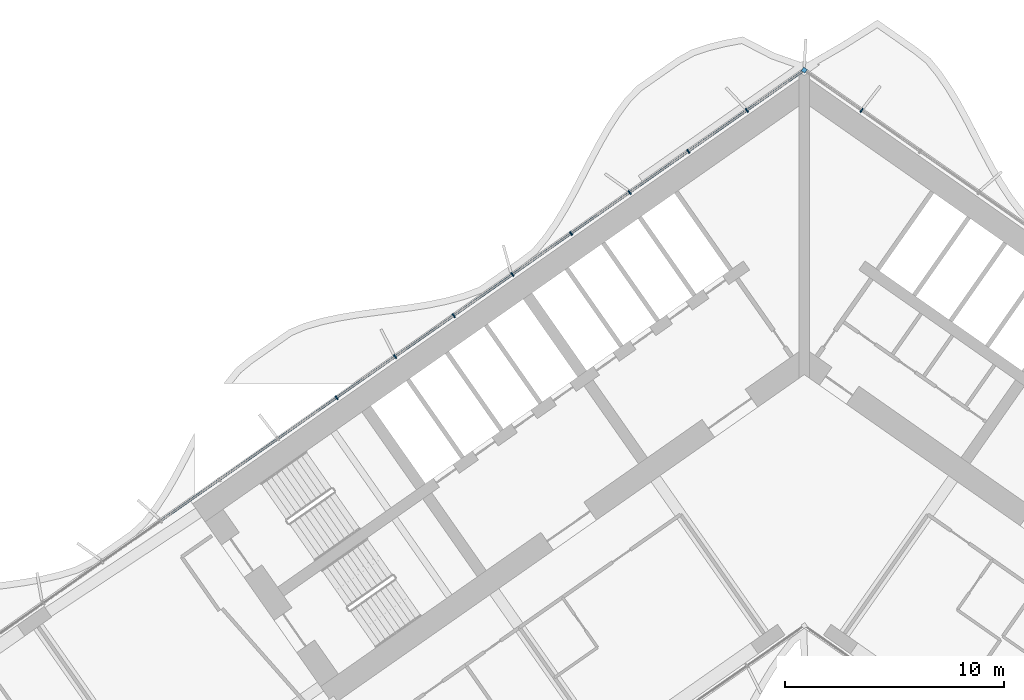
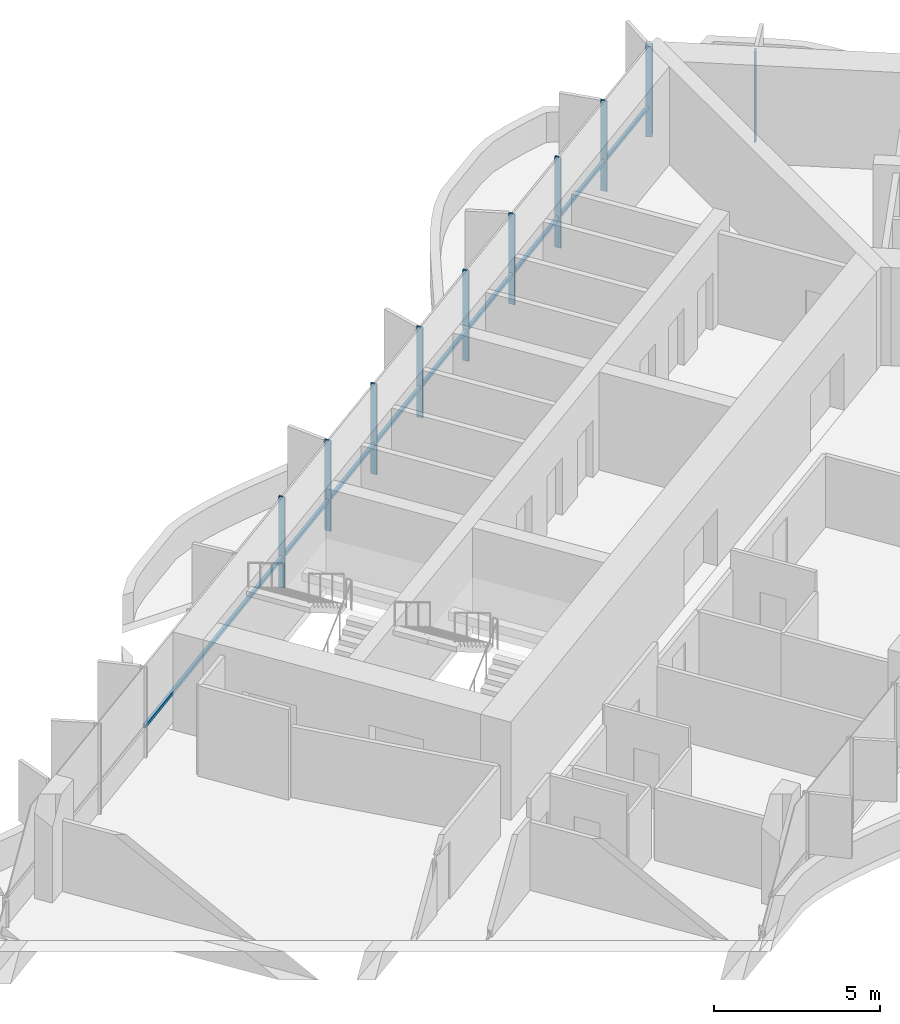
# One storey, part 7 of 24: 11 members, 1 element without a shape of its own.
"""IFC4 building model written with IfcOpenShell, lengths in metres."""

from ifc_helpers import new_model, si_unit, direction, frame, origin, origin_2d, place, context, subcontext, project, spatial, rectangle, extrude, material, material_profile, profile_set, type_object, element, aggregate, save


model = new_model("IFC4")

# Units and contexts
model_context = context("Model", 3, precision=1e-05, world=origin(), true_north=direction((0.0, 1.0)))
body_context = subcontext(model_context, "Body", "Model", "MODEL_VIEW")
ifc_project = project(units=[si_unit("LENGTHUNIT", "METRE"), si_unit("AREAUNIT", "SQUARE_METRE"), si_unit("VOLUMEUNIT", "CUBIC_METRE"), si_unit("PLANEANGLEUNIT", "RADIAN"), si_unit("MASSUNIT", "GRAM", prefix="KILO")], contexts=[model_context])

# Site, building, storey
site_placement = place(None, origin())
site = spatial("IfcSite", under=ifc_project, at=site_placement, CompositionType="ELEMENT")
building_placement = place(site_placement, origin())
building = spatial("IfcBuilding", under=site, at=building_placement, Name="Tel Ilan Convention Tower", CompositionType="ELEMENT")
storey_placement = place(building_placement, frame((0.0, 0.0, 65.300048828125)))
storey = spatial("IfcBuildingStorey", under=building, at=storey_placement, Name="L11", CompositionType="ELEMENT", Elevation=65.300048828125)

# Curtain wall, members
ifc_material_1 = material(Name="Aluminium, bronze anodised", Category="aluminium")
curtain_wall_type = type_object("IfcCurtainWallType", Name="CW2 STICK CURTAIN WALL, SPANDREL PANELS", PredefinedType="NOTDEFINED", material=ifc_material_1)
curtain_wall_placement = place(storey_placement, origin())
curtain_wall = element("IfcCurtainWall", 1, at=curtain_wall_placement, inside=storey, type_object=curtain_wall_type, Name="Curtain wall CW2-12.01", PredefinedType="NOTDEFINED")
ifc_material_2 = material(Name="Aluminium, bronze anodised", Category="aluminium")
ifc_material_profile_1 = material_profile(ifc_material_2, rectangle(XDim=0.199951171875, YDim=0.199951171875, at=origin_2d()), Name="CW CORNER MULLION 200x200")
ifc_profile_set_1 = profile_set([ifc_material_profile_1], Name="Aluminium, bronze anodised")
member_type_1 = type_object("IfcMemberType", Name="CW CORNER MULLION 200x200", PredefinedType="MULLION", material=ifc_profile_set_1)
member_1_placement = place(storey_placement, frame((0.0, 12.696044921875, 0.0), z_axis=(0.0, 0.0, 1.0), x_axis=(-0.819152044289, 0.573576436351, 0.0)))
member_1 = element("IfcMember", 2, at=member_1_placement, type_object=member_type_1, Name="Corner mullion", PredefinedType="MULLION", context=body_context, shape_type="SweptSolid", body=[
    extrude(rectangle(XDim=0.199951171875, YDim=0.199951171875, at=origin_2d()), origin(), (0.0, 0.0, 1.0), 3.320068359375),
])
ifc_material_3 = material(Name="Aluminium, bronze anodised", Category="aluminium")
ifc_material_profile_2 = material_profile(ifc_material_3, rectangle(XDim=0.06005859375, YDim=0.199951171875, at=origin_2d()), Name="CW MULLION 60x200")
ifc_profile_set_2 = profile_set([ifc_material_profile_2], Name="Aluminium, bronze anodised")
member_type_2 = type_object("IfcMemberType", Name="CW MULLION 60x200", PredefinedType="MULLION", material=ifc_profile_set_2)
member_2_placement = place(storey_placement, frame((2.622802734375, 10.859375, 0.0), z_axis=(0.0, 0.0, 1.0), x_axis=(-0.819152044289, 0.573576436351, 0.0)))
member_2 = element("IfcMember", 3, at=member_2_placement, type_object=member_type_2, Name="Mullion", PredefinedType="MULLION", context=body_context, shape_type="SweptSolid", body=[
    extrude(rectangle(XDim=0.06005859375, YDim=0.199951171875, at=origin_2d()), origin(), (0.0, 0.0, 1.0), 3.320068359375),
])
member_3_placement = place(storey_placement, frame((-2.622802734375, 10.859375, 0.0), z_axis=(0.0, 0.0, 1.0), x_axis=(-0.819152044289, -0.573576436351, 0.0)))
member_3 = element("IfcMember", 4, at=member_3_placement, type_object=member_type_2, Name="Mullion", PredefinedType="MULLION", context=body_context, shape_type="SweptSolid", body=[
    extrude(rectangle(XDim=0.06005859375, YDim=0.199951171875, at=origin_2d()), origin(), (0.0, 0.0, 1.0), 3.320068359375),
])
member_4_placement = place(storey_placement, frame((-5.30322265625, 8.982666015625, 0.0), z_axis=(0.0, 0.0, 1.0), x_axis=(-0.819152044289, -0.573576436351, 0.0)))
member_4 = element("IfcMember", 5, at=member_4_placement, type_object=member_type_2, Name="Mullion", PredefinedType="MULLION", context=body_context, shape_type="SweptSolid", body=[
    extrude(rectangle(XDim=0.06005859375, YDim=0.199951171875, at=origin_2d()), origin(), (0.0, 0.0, 1.0), 3.320068359375),
])
member_5_placement = place(storey_placement, frame((-7.9833984375, 7.10595703125, 0.0), z_axis=(0.0, 0.0, 1.0), x_axis=(-0.819152044289, -0.573576436351, 0.0)))
member_5 = element("IfcMember", 6, at=member_5_placement, type_object=member_type_2, Name="Mullion", PredefinedType="MULLION", context=body_context, shape_type="SweptSolid", body=[
    extrude(rectangle(XDim=0.06005859375, YDim=0.199951171875, at=origin_2d()), origin(), (0.0, 0.0, 1.0), 3.320068359375),
])
member_6_placement = place(storey_placement, frame((-10.663818359375, 5.229248046875, 0.0), z_axis=(0.0, 0.0, 1.0), x_axis=(-0.819152044289, -0.573576436351, 0.0)))
member_6 = element("IfcMember", 7, at=member_6_placement, type_object=member_type_2, Name="Mullion", PredefinedType="MULLION", context=body_context, shape_type="SweptSolid", body=[
    extrude(rectangle(XDim=0.06005859375, YDim=0.199951171875, at=origin_2d()), origin(), (0.0, 0.0, 1.0), 3.320068359375),
])
member_7_placement = place(storey_placement, frame((-13.343994140625, 3.3525390625, 0.0), z_axis=(0.0, 0.0, 1.0), x_axis=(-0.819152044289, -0.573576436351, 0.0)))
member_7 = element("IfcMember", 8, at=member_7_placement, type_object=member_type_2, Name="Mullion", PredefinedType="MULLION", context=body_context, shape_type="SweptSolid", body=[
    extrude(rectangle(XDim=0.06005859375, YDim=0.199951171875, at=origin_2d()), origin(), (0.0, 0.0, 1.0), 3.320068359375),
])
member_8_placement = place(storey_placement, frame((-16.024169921875, 1.475830078125, 0.0), z_axis=(0.0, 0.0, 1.0), x_axis=(-0.819152044289, -0.573576436351, 0.0)))
member_8 = element("IfcMember", 9, at=member_8_placement, type_object=member_type_2, Name="Mullion", PredefinedType="MULLION", context=body_context, shape_type="SweptSolid", body=[
    extrude(rectangle(XDim=0.06005859375, YDim=0.199951171875, at=origin_2d()), origin(), (0.0, 0.0, 1.0), 3.320068359375),
])
member_9_placement = place(storey_placement, frame((-18.70458984375, -0.401123046875, 0.0), z_axis=(0.0, 0.0, 1.0), x_axis=(-0.819152044289, -0.573576436351, 0.0)))
member_9 = element("IfcMember", 10, at=member_9_placement, type_object=member_type_2, Name="Mullion", PredefinedType="MULLION", context=body_context, shape_type="SweptSolid", body=[
    extrude(rectangle(XDim=0.06005859375, YDim=0.199951171875, at=origin_2d()), origin(), (0.0, 0.0, 1.0), 3.320068359375),
])
member_10_placement = place(storey_placement, frame((-21.384765625, -2.27783203125, 0.0), z_axis=(0.0, 0.0, 1.0), x_axis=(-0.819152044289, -0.573576436351, 0.0)))
member_10 = element("IfcMember", 11, at=member_10_placement, type_object=member_type_2, Name="Mullion", PredefinedType="MULLION", context=body_context, shape_type="SweptSolid", body=[
    extrude(rectangle(XDim=0.06005859375, YDim=0.199951171875, at=origin_2d()), origin(), (0.0, 0.0, 1.0), 3.320068359375),
])
ifc_material_4 = material(Name="Aluminium, bronze anodised", Category="aluminium")
ifc_material_profile_3 = material_profile(ifc_material_4, rectangle(XDim=0.10009765625, YDim=0.1201171875, at=origin_2d()), Name="CW TRANSOM 100x120")
ifc_profile_set_3 = profile_set([ifc_material_profile_3], Name="Aluminium, bronze anodised")
member_type_3 = type_object("IfcMemberType", Name="CW TRANSOM 100x120", PredefinedType="USERDEFINED", material=ifc_profile_set_3)
member_11_placement = place(storey_placement, frame((-0.1064453125, 12.62158203125, 1.099853515625), z_axis=(-0.81915076999, -0.573578256234, 0.0), x_axis=(0.573578256234, -0.81915076999, 0.0)))
member_11 = element("IfcMember", 12, at=member_11_placement, type_object=member_type_3, Name="Transom", ObjectType="TRANSOM", PredefinedType="USERDEFINED", context=body_context, shape_type="SweptSolid", body=[
    extrude(rectangle(XDim=0.10009765625, YDim=0.1201171875, at=origin_2d()), origin(), (0.0, 0.0, 1.0), 35.76220703125),
])
aggregate(curtain_wall, [member_2, member_1, member_3, member_4, member_5, member_6, member_7, member_8, member_9, member_10, member_11])

save(model, "model.ifc")
